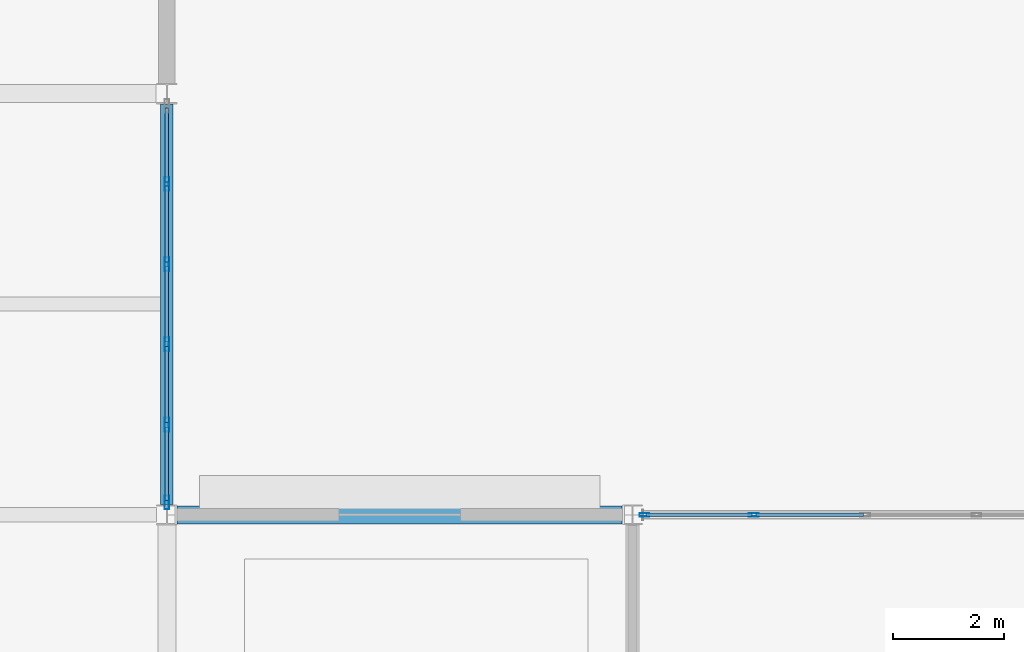
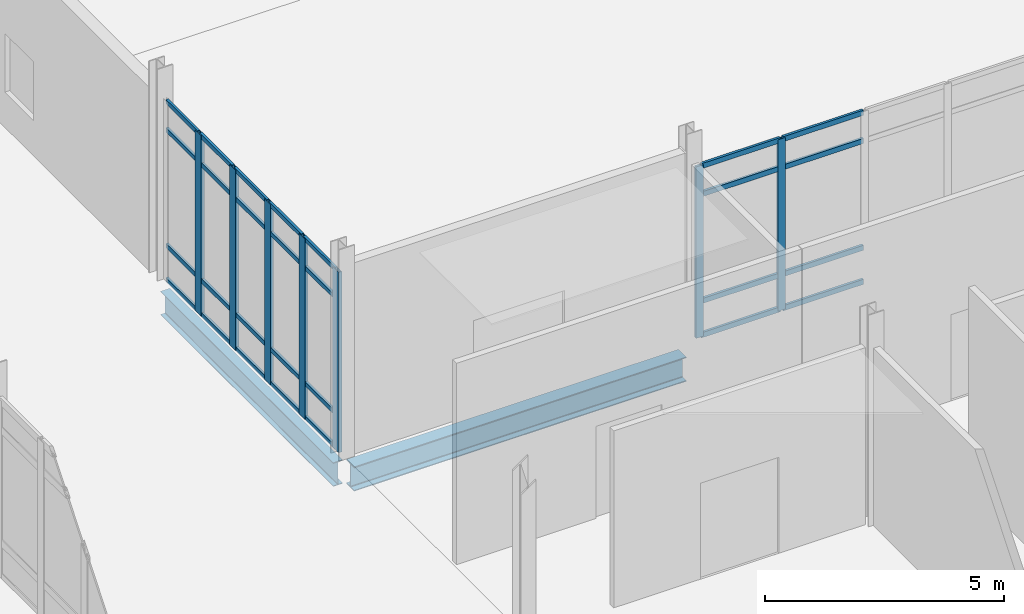
# One storey, part 98 of 229: 35 members, 2 beams, 2 elements without a shape of their own.
"""IFC4 building model written with IfcOpenShell, lengths in metres."""

from ifc_helpers import new_model, si_unit, direction, frame, origin, origin_2d, place, context, subcontext, project, spatial, hollow_rectangle, i_section, extrude, material, layer, layer_set, material_profile, profile_set, type_object, element, aggregate, save


model = new_model("IFC4")

# Units and contexts
model_context = context("Model", 3, precision=1e-05, world=origin(), true_north=direction((0.0, 1.0)))
body_context = subcontext(model_context, "Body", "Model", "MODEL_VIEW")
ifc_project = project(units=[si_unit("LENGTHUNIT", "METRE"), si_unit("AREAUNIT", "SQUARE_METRE"), si_unit("VOLUMEUNIT", "CUBIC_METRE"), si_unit("PLANEANGLEUNIT", "RADIAN"), si_unit("MASSUNIT", "GRAM", prefix="KILO")], contexts=[model_context])

# Site, building, storey
site_placement = place(None, origin())
site = spatial("IfcSite", under=ifc_project, at=site_placement, CompositionType="ELEMENT")
building_placement = place(site_placement, origin())
building = spatial("IfcBuilding", under=site, at=building_placement, Name="Calvrana Isthmian Art Gallery", CompositionType="ELEMENT")
storey_placement = place(building_placement, origin())
storey = spatial("IfcBuildingStorey", under=building, at=storey_placement, Name="L00", CompositionType="ELEMENT", Elevation=0.0)

# Beams
ifc_material_1 = material(Name="Steel ASTM A992 Gr 50", Category="steel")
ifc_material_profile_1 = material_profile(ifc_material_1, i_section(OverallWidth=0.327880859375, OverallDepth=0.6220703125, WebThickness=0.015380859375, FlangeThickness=0.0244140625, FilletRadius=0.02197265625, at=origin_2d()), Name="W24X131")
ifc_profile_set_1 = profile_set([ifc_material_profile_1], Name="Steel ASTM A992 Gr 50")
beam_type_1 = type_object("IfcBeamType", Name="BM-G-W24X131", PredefinedType="BEAM", material=ifc_profile_set_1)
beam_1_placement = place(storey_placement, frame((63.78662109375, 62.0, -0.595947265625), z_axis=(1.0, 0.0, 0.0), x_axis=(0.0, 1.0, 0.0)))
element("IfcBeam", 1, at=beam_1_placement, inside=storey, type_object=beam_type_1, Name="Girder X L00 09-10/I", PredefinedType="BEAM", context=body_context, shape_type="SweptSolid", body=[
    extrude(i_section(OverallWidth=0.327880859375, OverallDepth=0.6220703125, WebThickness=0.015380859375, FlangeThickness=0.0244140625, FilletRadius=0.02197265625, at=origin_2d()), origin(), (0.0, 0.0, 1.0), 8.02685546875),
])
ifc_material_profile_2 = material_profile(ifc_material_1, i_section(OverallWidth=0.22802734375, OverallDepth=0.60693359375, WebThickness=0.01123046875, FlangeThickness=0.017333984375, FilletRadius=0.02197265625, at=origin_2d()), Name="W24X76")
ifc_profile_set_2 = profile_set([ifc_material_profile_2], Name="Steel ASTM A992 Gr 50")
beam_type_2 = type_object("IfcBeamType", Name="BM-G-W24X76", PredefinedType="BEAM", material=ifc_profile_set_2)
beam_2_placement = place(storey_placement, frame((63.60009765625, 62.1865234375, -0.58837890625), z_axis=(0.0, 1.0, 0.0), x_axis=(-1.0, 0.0, 0.0)))
element("IfcBeam", 2, at=beam_2_placement, inside=storey, type_object=beam_type_2, Name="Girder Y L00 09/I-J", PredefinedType="BEAM", context=body_context, shape_type="SweptSolid", body=[
    extrude(i_section(OverallWidth=0.22802734375, OverallDepth=0.60693359375, WebThickness=0.01123046875, FlangeThickness=0.017333984375, FilletRadius=0.02197265625, at=origin_2d()), origin(), (0.0, 0.0, 1.0), 7.2255859375),
])

# Curtain wall, members
ifc_material_2 = material(Name="Anodized bronze aluminium 6063-T6", Category="aluminium")
ifc_layer_1 = layer(ifc_material_2, 0.179931640625, Name="Anodized bronze aluminium 6063-T6")
ifc_layer_set_1 = layer_set([ifc_layer_1], Name="Anodized bronze aluminium 6063-T6")
curtain_wall_type_1 = type_object("IfcCurtainWallType", Name="CW-UNIT-080X44", PredefinedType="USERDEFINED", material=ifc_layer_set_1)
curtain_wall_1_placement = place(storey_placement, origin())
curtain_wall_1 = element("IfcCurtainWall", 3, at=curtain_wall_1_placement, inside=storey, type_object=curtain_wall_type_1, Name="Curtain wall CW-026", ObjectType="UNITISED CURTAIN WALL", PredefinedType="USERDEFINED")
ifc_material_profile_3 = material_profile(ifc_material_2, hollow_rectangle(XDim=0.06494140625, YDim=0.179931640625, WallThickness=0.00439453125, at=origin_2d()), Name="CWM65X180")
ifc_profile_set_3 = profile_set([ifc_material_profile_3], Name="Anodized bronze aluminium 6063-T6")
member_type_1 = type_object("IfcMemberType", Name="CWM-CWM65X180", PredefinedType="MULLION", material=ifc_profile_set_3)
member_1_placement = place(storey_placement, frame((72.216552734375, 62.0, 0.0), z_axis=(0.0, 0.0, 1.0), x_axis=(0.0, 1.0, 0.0)))
member_1 = element("IfcMember", 4, at=member_1_placement, type_object=member_type_1, Name="CW-026 mullion 1", PredefinedType="MULLION", context=body_context, shape_type="SweptSolid", body=[
    extrude(hollow_rectangle(XDim=0.06494140625, YDim=0.179931640625, WallThickness=0.00439453125, at=origin_2d()), origin(), (0.0, 0.0, 1.0), 4.3779296875),
])
member_2_placement = place(storey_placement, frame((74.19140625, 62.0, 0.0), z_axis=(0.0, 0.0, 1.0), x_axis=(0.0, 1.0, 0.0)))
member_2 = element("IfcMember", 5, at=member_2_placement, type_object=member_type_1, Name="CW-026 mullion 2", PredefinedType="MULLION", context=body_context, shape_type="SweptSolid", body=[
    extrude(hollow_rectangle(XDim=0.06494140625, YDim=0.179931640625, WallThickness=0.00439453125, at=origin_2d()), origin(), (0.0, 0.0, 1.0), 4.3779296875),
])

ifc_layer_2 = layer(ifc_material_2, 0.179931640625, Name="Anodized bronze aluminium 6063-T6")
ifc_layer_set_2 = layer_set([ifc_layer_2], Name="Anodized bronze aluminium 6063-T6")
curtain_wall_type_2 = type_object("IfcCurtainWallType", Name="CW-UNIT-072X46", PredefinedType="USERDEFINED", material=ifc_layer_set_2)
curtain_wall_2_placement = place(storey_placement, origin())
curtain_wall_2 = element("IfcCurtainWall", 6, at=curtain_wall_2_placement, inside=storey, type_object=curtain_wall_type_2, Name="Curtain wall CW-065", ObjectType="UNITISED CURTAIN WALL", PredefinedType="USERDEFINED")
ifc_material_profile_4 = material_profile(ifc_material_2, hollow_rectangle(XDim=0.080078125, YDim=0.25, WallThickness=0.005615234375, at=origin_2d()), Name="CWM80X250")
ifc_profile_set_4 = profile_set([ifc_material_profile_4], Name="Anodized bronze aluminium 6063-T6")
member_type_2 = type_object("IfcMemberType", Name="CWM-CWM80X250", PredefinedType="MULLION", material=ifc_profile_set_4)
member_3_placement = place(storey_placement, frame((63.60009765625, 67.968994140625, 0.0), z_axis=(0.0, 0.0, 1.0), x_axis=(1.0, 0.0, 0.0)))
member_3 = element("IfcMember", 7, at=member_3_placement, type_object=member_type_2, Name="CW-065 mullion 2", PredefinedType="MULLION", context=body_context, shape_type="SweptSolid", body=[
    extrude(hollow_rectangle(XDim=0.080078125, YDim=0.25, WallThickness=0.005615234375, at=origin_2d()), origin(), (0.0, 0.0, 1.0), 4.60693359375),
])
member_4_placement = place(storey_placement, frame((63.60009765625, 66.522216796875, 0.0), z_axis=(0.0, 0.0, 1.0), x_axis=(1.0, 0.0, 0.0)))
member_4 = element("IfcMember", 8, at=member_4_placement, type_object=member_type_2, Name="CW-065 mullion 3", PredefinedType="MULLION", context=body_context, shape_type="SweptSolid", body=[
    extrude(hollow_rectangle(XDim=0.080078125, YDim=0.25, WallThickness=0.005615234375, at=origin_2d()), origin(), (0.0, 0.0, 1.0), 4.60693359375),
])
member_5_placement = place(storey_placement, frame((63.60009765625, 65.0751953125, 0.0), z_axis=(0.0, 0.0, 1.0), x_axis=(1.0, 0.0, 0.0)))
member_5 = element("IfcMember", 9, at=member_5_placement, type_object=member_type_2, Name="CW-065 mullion 4", PredefinedType="MULLION", context=body_context, shape_type="SweptSolid", body=[
    extrude(hollow_rectangle(XDim=0.080078125, YDim=0.25, WallThickness=0.005615234375, at=origin_2d()), origin(), (0.0, 0.0, 1.0), 4.60693359375),
])
member_6_placement = place(storey_placement, frame((63.60009765625, 63.62841796875, 0.0), z_axis=(0.0, 0.0, 1.0), x_axis=(1.0, 0.0, 0.0)))
member_6 = element("IfcMember", 10, at=member_6_placement, type_object=member_type_2, Name="CW-065 mullion 5", PredefinedType="MULLION", context=body_context, shape_type="SweptSolid", body=[
    extrude(hollow_rectangle(XDim=0.080078125, YDim=0.25, WallThickness=0.005615234375, at=origin_2d()), origin(), (0.0, 0.0, 1.0), 4.60693359375),
])
member_7_placement = place(storey_placement, frame((63.60009765625, 62.221435546875, 0.0), z_axis=(0.0, 0.0, 1.0), x_axis=(1.0, 0.0, 0.0)))
member_7 = element("IfcMember", 11, at=member_7_placement, type_object=member_type_2, Name="CW-065 mullion 6", PredefinedType="MULLION", context=body_context, shape_type="SweptSolid", body=[
    extrude(hollow_rectangle(XDim=0.080078125, YDim=0.25, WallThickness=0.005615234375, at=origin_2d()), origin(), (0.0, 0.0, 1.0), 4.60693359375),
])
ifc_material_profile_5 = material_profile(ifc_material_2, hollow_rectangle(XDim=0.06005859375, YDim=0.110107421875, WallThickness=0.00341796875, at=origin_2d()), Name="CWT60X110")
ifc_profile_set_5 = profile_set([ifc_material_profile_5], Name="Anodized bronze aluminium 6063-T6")
member_type_3 = type_object("IfcMemberType", Name="CWT-CWT60X110", PredefinedType="USERDEFINED", material=ifc_profile_set_5)
member_8_placement = place(storey_placement, frame((63.60009765625, 69.3359375, 0.030029296875), z_axis=(0.0, -1.0, 0.0), x_axis=(1.0, 0.0, 0.0)))
member_8 = element("IfcMember", 12, at=member_8_placement, type_object=member_type_3, Name="CW-065 transom 1.1", ObjectType="TRANSOM", PredefinedType="USERDEFINED", context=body_context, shape_type="SweptSolid", body=[
    extrude(hollow_rectangle(XDim=0.06005859375, YDim=0.110107421875, WallThickness=0.00341796875, at=origin_2d()), origin(), (0.0, 0.0, 1.0), 1.326904296875),
])
member_9_placement = place(storey_placement, frame((63.60009765625, 69.3359375, 0.89990234375), z_axis=(0.0, -1.0, 0.0), x_axis=(1.0, 0.0, 0.0)))
member_9 = element("IfcMember", 13, at=member_9_placement, type_object=member_type_3, Name="CW-065 transom 1.2", ObjectType="TRANSOM", PredefinedType="USERDEFINED", context=body_context, shape_type="SweptSolid", body=[
    extrude(hollow_rectangle(XDim=0.06005859375, YDim=0.110107421875, WallThickness=0.00341796875, at=origin_2d()), origin(), (0.0, 0.0, 1.0), 1.326904296875),
])
member_10_placement = place(storey_placement, frame((63.60009765625, 69.3359375, 3.85693359375), z_axis=(0.0, -1.0, 0.0), x_axis=(1.0, 0.0, 0.0)))
member_10 = element("IfcMember", 14, at=member_10_placement, type_object=member_type_3, Name="CW-065 transom 1.3", ObjectType="TRANSOM", PredefinedType="USERDEFINED", context=body_context, shape_type="SweptSolid", body=[
    extrude(hollow_rectangle(XDim=0.06005859375, YDim=0.110107421875, WallThickness=0.00341796875, at=origin_2d()), origin(), (0.0, 0.0, 1.0), 1.326904296875),
])
member_11_placement = place(storey_placement, frame((63.60009765625, 69.3359375, 4.576904296875), z_axis=(0.0, -1.0, 0.0), x_axis=(1.0, 0.0, 0.0)))
member_11 = element("IfcMember", 15, at=member_11_placement, type_object=member_type_3, Name="CW-065 transom 1.4", ObjectType="TRANSOM", PredefinedType="USERDEFINED", context=body_context, shape_type="SweptSolid", body=[
    extrude(hollow_rectangle(XDim=0.06005859375, YDim=0.110107421875, WallThickness=0.00341796875, at=origin_2d()), origin(), (0.0, 0.0, 1.0), 1.326904296875),
])
member_12_placement = place(storey_placement, frame((63.60009765625, 67.92919921875, 0.030029296875), z_axis=(0.0, -1.0, 0.0), x_axis=(1.0, 0.0, 0.0)))
member_12 = element("IfcMember", 16, at=member_12_placement, type_object=member_type_3, Name="CW-065 transom 2.1", ObjectType="TRANSOM", PredefinedType="USERDEFINED", context=body_context, shape_type="SweptSolid", body=[
    extrude(hollow_rectangle(XDim=0.06005859375, YDim=0.110107421875, WallThickness=0.00341796875, at=origin_2d()), origin(), (0.0, 0.0, 1.0), 1.366943359375),
])
member_13_placement = place(storey_placement, frame((63.60009765625, 67.92919921875, 0.89990234375), z_axis=(0.0, -1.0, 0.0), x_axis=(1.0, 0.0, 0.0)))
member_13 = element("IfcMember", 17, at=member_13_placement, type_object=member_type_3, Name="CW-065 transom 2.2", ObjectType="TRANSOM", PredefinedType="USERDEFINED", context=body_context, shape_type="SweptSolid", body=[
    extrude(hollow_rectangle(XDim=0.06005859375, YDim=0.110107421875, WallThickness=0.00341796875, at=origin_2d()), origin(), (0.0, 0.0, 1.0), 1.366943359375),
])
member_14_placement = place(storey_placement, frame((63.60009765625, 67.92919921875, 3.85693359375), z_axis=(0.0, -1.0, 0.0), x_axis=(1.0, 0.0, 0.0)))
member_14 = element("IfcMember", 18, at=member_14_placement, type_object=member_type_3, Name="CW-065 transom 2.3", ObjectType="TRANSOM", PredefinedType="USERDEFINED", context=body_context, shape_type="SweptSolid", body=[
    extrude(hollow_rectangle(XDim=0.06005859375, YDim=0.110107421875, WallThickness=0.00341796875, at=origin_2d()), origin(), (0.0, 0.0, 1.0), 1.366943359375),
])
member_15_placement = place(storey_placement, frame((63.60009765625, 67.92919921875, 4.576904296875), z_axis=(0.0, -1.0, 0.0), x_axis=(1.0, 0.0, 0.0)))
member_15 = element("IfcMember", 19, at=member_15_placement, type_object=member_type_3, Name="CW-065 transom 2.4", ObjectType="TRANSOM", PredefinedType="USERDEFINED", context=body_context, shape_type="SweptSolid", body=[
    extrude(hollow_rectangle(XDim=0.06005859375, YDim=0.110107421875, WallThickness=0.00341796875, at=origin_2d()), origin(), (0.0, 0.0, 1.0), 1.366943359375),
])
member_16_placement = place(storey_placement, frame((63.60009765625, 66.482177734375, 0.030029296875), z_axis=(0.0, -1.0, 0.0), x_axis=(1.0, 0.0, 0.0)))
member_16 = element("IfcMember", 20, at=member_16_placement, type_object=member_type_3, Name="CW-065 transom 3.1", ObjectType="TRANSOM", PredefinedType="USERDEFINED", context=body_context, shape_type="SweptSolid", body=[
    extrude(hollow_rectangle(XDim=0.06005859375, YDim=0.110107421875, WallThickness=0.00341796875, at=origin_2d()), origin(), (0.0, 0.0, 1.0), 1.366943359375),
])
member_17_placement = place(storey_placement, frame((63.60009765625, 66.482177734375, 0.89990234375), z_axis=(0.0, -1.0, 0.0), x_axis=(1.0, 0.0, 0.0)))
member_17 = element("IfcMember", 21, at=member_17_placement, type_object=member_type_3, Name="CW-065 transom 3.2", ObjectType="TRANSOM", PredefinedType="USERDEFINED", context=body_context, shape_type="SweptSolid", body=[
    extrude(hollow_rectangle(XDim=0.06005859375, YDim=0.110107421875, WallThickness=0.00341796875, at=origin_2d()), origin(), (0.0, 0.0, 1.0), 1.366943359375),
])
member_18_placement = place(storey_placement, frame((63.60009765625, 66.482177734375, 3.85693359375), z_axis=(0.0, -1.0, 0.0), x_axis=(1.0, 0.0, 0.0)))
member_18 = element("IfcMember", 22, at=member_18_placement, type_object=member_type_3, Name="CW-065 transom 3.3", ObjectType="TRANSOM", PredefinedType="USERDEFINED", context=body_context, shape_type="SweptSolid", body=[
    extrude(hollow_rectangle(XDim=0.06005859375, YDim=0.110107421875, WallThickness=0.00341796875, at=origin_2d()), origin(), (0.0, 0.0, 1.0), 1.366943359375),
])
member_19_placement = place(storey_placement, frame((63.60009765625, 66.482177734375, 4.576904296875), z_axis=(0.0, -1.0, 0.0), x_axis=(1.0, 0.0, 0.0)))
member_19 = element("IfcMember", 23, at=member_19_placement, type_object=member_type_3, Name="CW-065 transom 3.4", ObjectType="TRANSOM", PredefinedType="USERDEFINED", context=body_context, shape_type="SweptSolid", body=[
    extrude(hollow_rectangle(XDim=0.06005859375, YDim=0.110107421875, WallThickness=0.00341796875, at=origin_2d()), origin(), (0.0, 0.0, 1.0), 1.366943359375),
])
member_20_placement = place(storey_placement, frame((63.60009765625, 65.035400390625, 0.030029296875), z_axis=(0.0, -1.0, 0.0), x_axis=(1.0, 0.0, 0.0)))
member_20 = element("IfcMember", 24, at=member_20_placement, type_object=member_type_3, Name="CW-065 transom 4.1", ObjectType="TRANSOM", PredefinedType="USERDEFINED", context=body_context, shape_type="SweptSolid", body=[
    extrude(hollow_rectangle(XDim=0.06005859375, YDim=0.110107421875, WallThickness=0.00341796875, at=origin_2d()), origin(), (0.0, 0.0, 1.0), 1.366943359375),
])
member_21_placement = place(storey_placement, frame((63.60009765625, 65.035400390625, 0.89990234375), z_axis=(0.0, -1.0, 0.0), x_axis=(1.0, 0.0, 0.0)))
member_21 = element("IfcMember", 25, at=member_21_placement, type_object=member_type_3, Name="CW-065 transom 4.2", ObjectType="TRANSOM", PredefinedType="USERDEFINED", context=body_context, shape_type="SweptSolid", body=[
    extrude(hollow_rectangle(XDim=0.06005859375, YDim=0.110107421875, WallThickness=0.00341796875, at=origin_2d()), origin(), (0.0, 0.0, 1.0), 1.366943359375),
])
member_22_placement = place(storey_placement, frame((63.60009765625, 65.035400390625, 3.85693359375), z_axis=(0.0, -1.0, 0.0), x_axis=(1.0, 0.0, 0.0)))
member_22 = element("IfcMember", 26, at=member_22_placement, type_object=member_type_3, Name="CW-065 transom 4.3", ObjectType="TRANSOM", PredefinedType="USERDEFINED", context=body_context, shape_type="SweptSolid", body=[
    extrude(hollow_rectangle(XDim=0.06005859375, YDim=0.110107421875, WallThickness=0.00341796875, at=origin_2d()), origin(), (0.0, 0.0, 1.0), 1.366943359375),
])
member_23_placement = place(storey_placement, frame((63.60009765625, 65.035400390625, 4.576904296875), z_axis=(0.0, -1.0, 0.0), x_axis=(1.0, 0.0, 0.0)))
member_23 = element("IfcMember", 27, at=member_23_placement, type_object=member_type_3, Name="CW-065 transom 4.4", ObjectType="TRANSOM", PredefinedType="USERDEFINED", context=body_context, shape_type="SweptSolid", body=[
    extrude(hollow_rectangle(XDim=0.06005859375, YDim=0.110107421875, WallThickness=0.00341796875, at=origin_2d()), origin(), (0.0, 0.0, 1.0), 1.366943359375),
])
member_24_placement = place(storey_placement, frame((63.60009765625, 63.58837890625, 0.030029296875), z_axis=(0.0, -1.0, 0.0), x_axis=(1.0, 0.0, 0.0)))
member_24 = element("IfcMember", 28, at=member_24_placement, type_object=member_type_3, Name="CW-065 transom 5.1", ObjectType="TRANSOM", PredefinedType="USERDEFINED", context=body_context, shape_type="SweptSolid", body=[
    extrude(hollow_rectangle(XDim=0.06005859375, YDim=0.110107421875, WallThickness=0.00341796875, at=origin_2d()), origin(), (0.0, 0.0, 1.0), 1.326904296875),
])
member_25_placement = place(storey_placement, frame((63.60009765625, 63.58837890625, 0.89990234375), z_axis=(0.0, -1.0, 0.0), x_axis=(1.0, 0.0, 0.0)))
member_25 = element("IfcMember", 29, at=member_25_placement, type_object=member_type_3, Name="CW-065 transom 5.2", ObjectType="TRANSOM", PredefinedType="USERDEFINED", context=body_context, shape_type="SweptSolid", body=[
    extrude(hollow_rectangle(XDim=0.06005859375, YDim=0.110107421875, WallThickness=0.00341796875, at=origin_2d()), origin(), (0.0, 0.0, 1.0), 1.326904296875),
])
member_26_placement = place(storey_placement, frame((63.60009765625, 63.58837890625, 3.85693359375), z_axis=(0.0, -1.0, 0.0), x_axis=(1.0, 0.0, 0.0)))
member_26 = element("IfcMember", 30, at=member_26_placement, type_object=member_type_3, Name="CW-065 transom 5.3", ObjectType="TRANSOM", PredefinedType="USERDEFINED", context=body_context, shape_type="SweptSolid", body=[
    extrude(hollow_rectangle(XDim=0.06005859375, YDim=0.110107421875, WallThickness=0.00341796875, at=origin_2d()), origin(), (0.0, 0.0, 1.0), 1.326904296875),
])
member_27_placement = place(storey_placement, frame((63.60009765625, 63.58837890625, 4.576904296875), z_axis=(0.0, -1.0, 0.0), x_axis=(1.0, 0.0, 0.0)))
member_27 = element("IfcMember", 31, at=member_27_placement, type_object=member_type_3, Name="CW-065 transom 5.4", ObjectType="TRANSOM", PredefinedType="USERDEFINED", context=body_context, shape_type="SweptSolid", body=[
    extrude(hollow_rectangle(XDim=0.06005859375, YDim=0.110107421875, WallThickness=0.00341796875, at=origin_2d()), origin(), (0.0, 0.0, 1.0), 1.326904296875),
])
aggregate(curtain_wall_2, [member_3, member_4, member_5, member_6, member_7, member_8, member_9, member_10, member_11, member_12, member_13, member_14, member_15, member_16, member_17, member_18, member_19, member_20, member_21, member_22, member_23, member_24, member_25, member_26, member_27])

# Member
ifc_material_profile_6 = material_profile(ifc_material_2, hollow_rectangle(XDim=0.06005859375, YDim=0.1298828125, WallThickness=0.00390625, at=origin_2d()), Name="CWT60X130")
ifc_profile_set_6 = profile_set([ifc_material_profile_6], Name="Anodized bronze aluminium 6063-T6")
member_type_4 = type_object("IfcMemberType", Name="CWT-CWT60X130", PredefinedType="USERDEFINED", material=ifc_profile_set_6)
member_28_placement = place(storey_placement, frame((72.2490234375, 62.0, 0.030029296875), z_axis=(1.0, 0.0, 0.0), x_axis=(0.0, 1.0, 0.0)))
member_28 = element("IfcMember", 32, at=member_28_placement, type_object=member_type_4, Name="CW-026 transom 1.1", ObjectType="TRANSOM", PredefinedType="USERDEFINED", context=body_context, shape_type="SweptSolid", body=[
    extrude(hollow_rectangle(XDim=0.06005859375, YDim=0.1298828125, WallThickness=0.00390625, at=origin_2d()), origin(), (0.0, 0.0, 1.0), 1.909912109375),
])

member_29_placement = place(storey_placement, frame((72.2490234375, 62.0, 0.89990234375), z_axis=(1.0, 0.0, 0.0), x_axis=(0.0, 1.0, 0.0)))
member_29 = element("IfcMember", 33, at=member_29_placement, type_object=member_type_4, Name="CW-026 transom 1.2", ObjectType="TRANSOM", PredefinedType="USERDEFINED", context=body_context, shape_type="SweptSolid", body=[
    extrude(hollow_rectangle(XDim=0.06005859375, YDim=0.1298828125, WallThickness=0.00390625, at=origin_2d()), origin(), (0.0, 0.0, 1.0), 1.909912109375),
])

member_30_placement = place(storey_placement, frame((72.2490234375, 62.0, 3.6279296875), z_axis=(1.0, 0.0, 0.0), x_axis=(0.0, 1.0, 0.0)))
member_30 = element("IfcMember", 34, at=member_30_placement, type_object=member_type_4, Name="CW-026 transom 1.3", ObjectType="TRANSOM", PredefinedType="USERDEFINED", context=body_context, shape_type="SweptSolid", body=[
    extrude(hollow_rectangle(XDim=0.06005859375, YDim=0.1298828125, WallThickness=0.00390625, at=origin_2d()), origin(), (0.0, 0.0, 1.0), 1.909912109375),
])

member_31_placement = place(storey_placement, frame((72.2490234375, 62.0, 4.347900390625), z_axis=(1.0, 0.0, 0.0), x_axis=(0.0, 1.0, 0.0)))
member_31 = element("IfcMember", 35, at=member_31_placement, type_object=member_type_4, Name="CW-026 transom 1.4", ObjectType="TRANSOM", PredefinedType="USERDEFINED", context=body_context, shape_type="SweptSolid", body=[
    extrude(hollow_rectangle(XDim=0.06005859375, YDim=0.1298828125, WallThickness=0.00390625, at=origin_2d()), origin(), (0.0, 0.0, 1.0), 1.909912109375),
])

member_32_placement = place(storey_placement, frame((74.223876953125, 62.0, 0.030029296875), z_axis=(1.0, 0.0, 0.0), x_axis=(0.0, 1.0, 0.0)))
member_32 = element("IfcMember", 36, at=member_32_placement, type_object=member_type_4, Name="CW-026 transom 2.1", ObjectType="TRANSOM", PredefinedType="USERDEFINED", context=body_context, shape_type="SweptSolid", body=[
    extrude(hollow_rectangle(XDim=0.06005859375, YDim=0.1298828125, WallThickness=0.00390625, at=origin_2d()), origin(), (0.0, 0.0, 1.0), 1.9423828125),
])

member_33_placement = place(storey_placement, frame((74.223876953125, 62.0, 0.89990234375), z_axis=(1.0, 0.0, 0.0), x_axis=(0.0, 1.0, 0.0)))
member_33 = element("IfcMember", 37, at=member_33_placement, type_object=member_type_4, Name="CW-026 transom 2.2", ObjectType="TRANSOM", PredefinedType="USERDEFINED", context=body_context, shape_type="SweptSolid", body=[
    extrude(hollow_rectangle(XDim=0.06005859375, YDim=0.1298828125, WallThickness=0.00390625, at=origin_2d()), origin(), (0.0, 0.0, 1.0), 1.9423828125),
])

member_34_placement = place(storey_placement, frame((74.223876953125, 62.0, 3.6279296875), z_axis=(1.0, 0.0, 0.0), x_axis=(0.0, 1.0, 0.0)))
member_34 = element("IfcMember", 38, at=member_34_placement, type_object=member_type_4, Name="CW-026 transom 2.3", ObjectType="TRANSOM", PredefinedType="USERDEFINED", context=body_context, shape_type="SweptSolid", body=[
    extrude(hollow_rectangle(XDim=0.06005859375, YDim=0.1298828125, WallThickness=0.00390625, at=origin_2d()), origin(), (0.0, 0.0, 1.0), 1.9423828125),
])

member_35_placement = place(storey_placement, frame((74.223876953125, 62.0, 4.347900390625), z_axis=(1.0, 0.0, 0.0), x_axis=(0.0, 1.0, 0.0)))
member_35 = element("IfcMember", 39, at=member_35_placement, type_object=member_type_4, Name="CW-026 transom 2.4", ObjectType="TRANSOM", PredefinedType="USERDEFINED", context=body_context, shape_type="SweptSolid", body=[
    extrude(hollow_rectangle(XDim=0.06005859375, YDim=0.1298828125, WallThickness=0.00390625, at=origin_2d()), origin(), (0.0, 0.0, 1.0), 1.9423828125),
])

aggregate(curtain_wall_1, [member_1, member_2, member_28, member_29, member_30, member_31, member_32, member_33, member_34, member_35])

save(model, "model.ifc")
